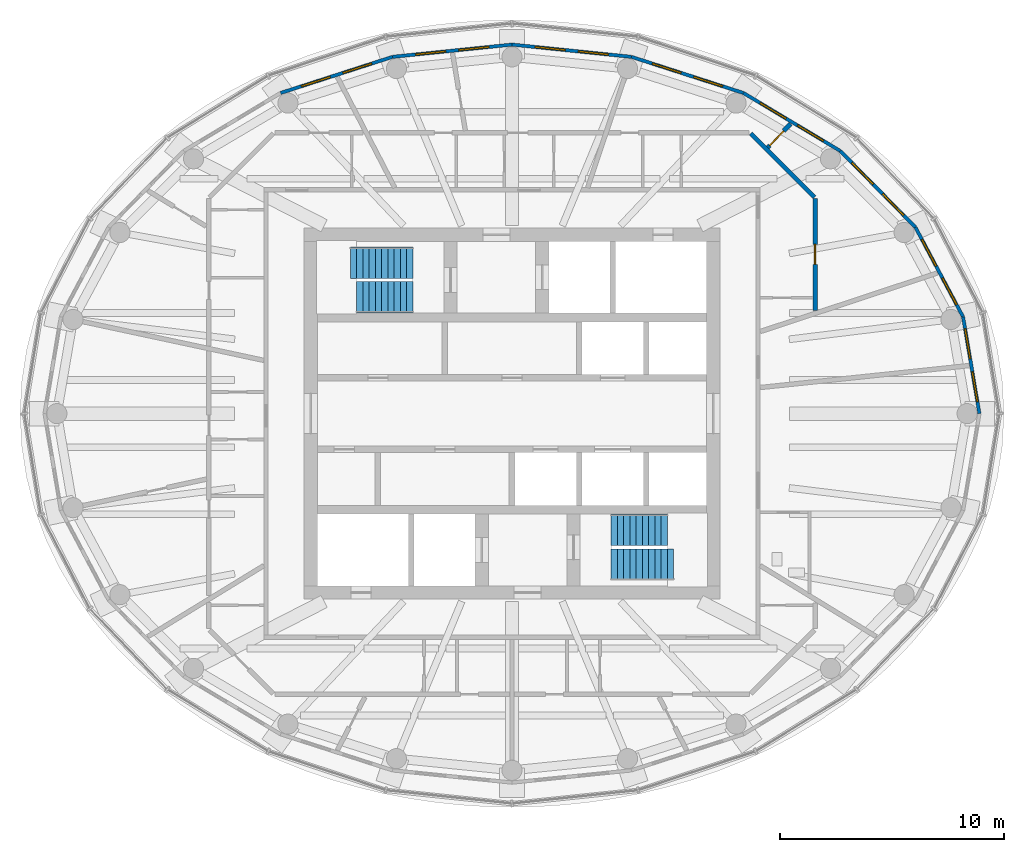
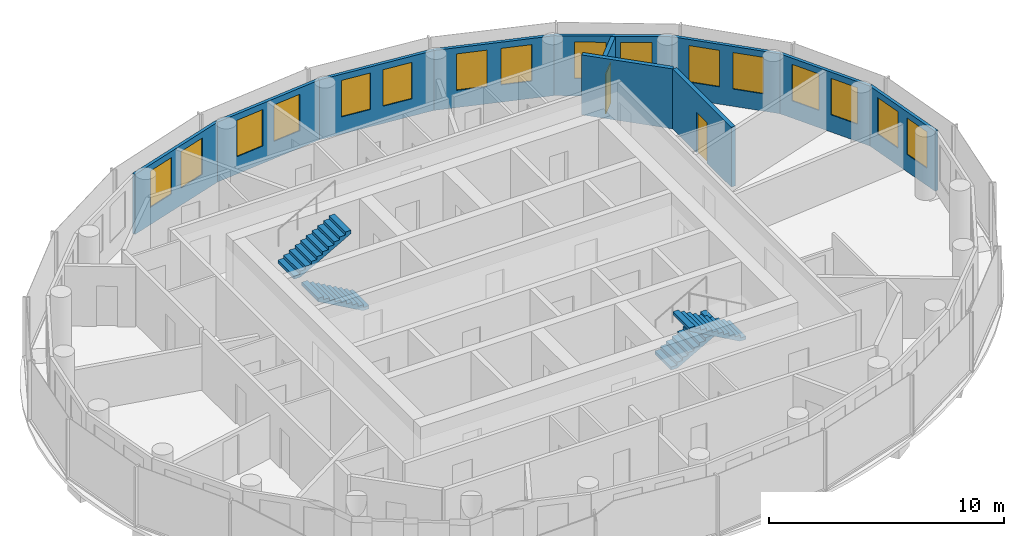
# One storey, part 9 of 11: 16 windows, 11 walls, 4 stair flights, 2 doors, 18 openings, 2 elements without a shape of their own.
"""IFC4 building model written with IfcOpenShell, lengths in metres."""

from ifc_helpers import new_model, si_unit, direction, frame, frame_2d, origin, place, context, subcontext, project, spatial, polyline, rectangle, outline, extrude, material, layer, layer_set, type_object, element, fill, aggregate, save


model = new_model("IFC4")

# Units and contexts
model_context = context("Model", 3, precision=1e-05, world=origin(), true_north=direction((0.0, 1.0)))
body_context = subcontext(model_context, "Body", "Model", "MODEL_VIEW")
ifc_project = project(units=[si_unit("LENGTHUNIT", "METRE"), si_unit("AREAUNIT", "SQUARE_METRE"), si_unit("VOLUMEUNIT", "CUBIC_METRE"), si_unit("PLANEANGLEUNIT", "RADIAN"), si_unit("MASSUNIT", "GRAM", prefix="KILO")], contexts=[model_context])

# Site, building, storey
site_placement = place(None, origin())
site = spatial("IfcSite", under=ifc_project, at=site_placement, CompositionType="ELEMENT")
building_placement = place(site_placement, origin())
building = spatial("IfcBuilding", under=site, at=building_placement, Name="Hankou Lantern Tower", CompositionType="ELEMENT")
storey_placement = place(building_placement, frame((0.0, 0.0, 192.89990234375)))
storey = spatial("IfcBuildingStorey", under=building, at=storey_placement, Name="L51", CompositionType="ELEMENT", Elevation=192.89990234375)

# Wall, openings, windows
ifc_material_1 = material(Name="Aluminium spandrel panel on steel studs", Category="steel")
ifc_layer_1 = layer(ifc_material_1, 0.14990234375)
ifc_layer_set_1 = layer_set([ifc_layer_1], Name="Aluminium spandrel panel on steel studs")
wall_type_1 = type_object("IfcWallType", Name="EW1 INNER SKIN WALL 150", PredefinedType="ELEMENTEDWALL", material=ifc_layer_set_1)
wall_1_placement = place(storey_placement, frame((20.89990234375, 0.0, 0.0), z_axis=(0.0, 0.0, 1.0), x_axis=(-0.166538513568, 0.986034950445, 0.0)))
wall_1 = element("IfcWall", 1, at=wall_1_placement, inside=storey, type_object=wall_type_1, Name="Inner skin R01-R02 L51", PredefinedType="ELEMENTEDWALL", context=body_context, shape_type="SweptSolid", body=[
    extrude(rectangle(XDim=4.384765625, YDim=0.14990234375, at=frame_2d((2.1923828125, 0.0))), origin(), (0.0, 0.0, 1.0), 3.1201171875),
])
opening_1_placement = place(wall_1_placement, frame((0.54248046875, 0.0, 0.89990234375)))
opening_1 = element("IfcOpeningElement", 2, at=opening_1_placement, cuts=wall_1, Name="Opening W4", PredefinedType="OPENING", context=body_context, shape_type="SweptSolid", body=[
    extrude(rectangle(XDim=1.35009765625, YDim=1.89990234375, at=frame_2d((0.675048828125, 0.949951171875))), frame((0.0, 0.0849609375, 0.0), z_axis=(0.0, -1.0, 0.0), x_axis=(1.0, 0.0, 0.0)), (0.0, 0.0, 1.0), 0.169921875),
])
opening_2_placement = place(wall_1_placement, frame((2.492431640625, 0.0, 0.89990234375)))
opening_2 = element("IfcOpeningElement", 3, at=opening_2_placement, cuts=wall_1, Name="Opening W4", PredefinedType="OPENING", context=body_context, shape_type="SweptSolid", body=[
    extrude(rectangle(XDim=1.35009765625, YDim=1.89990234375, at=frame_2d((0.675048828125, 0.949951171875))), frame((0.0, 0.0849609375, 0.0), z_axis=(0.0, -1.0, 0.0), x_axis=(1.0, 0.0, 0.0)), (0.0, 0.0, 1.0), 0.169921875),
])
ifc_material_2 = material(Name="Aluminium framed double glazed window", Category="aluminium")
window_type = type_object("IfcWindowType", Name="W4 SUITE WINDOW 1350X1900", PartitioningType="DOUBLE_PANEL_VERTICAL", PredefinedType="WINDOW", material=ifc_material_2)
window_1_placement = place(opening_1_placement, origin())
window_1 = element("IfcWindow", 4, at=window_1_placement, inside=storey, type_object=window_type, Name="Window R01.1 L51", OverallHeight=1.89990234375, OverallWidth=1.35009765625, PartitioningType="SINGLE_PANEL", PredefinedType="WINDOW", context=body_context, shape_type="SweptSolid", body=[
    extrude(rectangle(XDim=1.35009765625, YDim=1.89990234375, at=frame_2d((0.675048828125, 0.949951171875))), frame((0.0, 0.030029296875, 0.0), z_axis=(0.0, -1.0, 0.0), x_axis=(1.0, 0.0, 0.0)), (0.0, 0.0, 1.0), 0.06005859375),
])
fill(opening_1, window_1)
window_2_placement = place(opening_2_placement, origin())
window_2 = element("IfcWindow", 5, at=window_2_placement, inside=storey, type_object=window_type, Name="Window R01.2 L51", OverallHeight=1.89990234375, OverallWidth=1.35009765625, PartitioningType="SINGLE_PANEL", PredefinedType="WINDOW", context=body_context, shape_type="SweptSolid", body=[
    extrude(rectangle(XDim=1.35009765625, YDim=1.89990234375, at=frame_2d((0.675048828125, 0.949951171875))), frame((0.0, 0.030029296875, 0.0), z_axis=(0.0, -1.0, 0.0), x_axis=(1.0, 0.0, 0.0)), (0.0, 0.0, 1.0), 0.06005859375),
])
fill(opening_2, window_2)

wall_2_placement = place(storey_placement, frame((20.169677734375, 4.323486328125, 0.0), z_axis=(0.0, 0.0, 1.0), x_axis=(-0.469256152955, 0.883062094597, 0.0)))
wall_2 = element("IfcWall", 6, at=wall_2_placement, inside=storey, type_object=wall_type_1, Name="Inner skin R02-R03 L51", PredefinedType="ELEMENTEDWALL", context=body_context, shape_type="SweptSolid", body=[
    extrude(rectangle(XDim=4.539306640625, YDim=0.14990234375, at=frame_2d((2.26953125, 0.0))), origin(), (0.0, 0.0, 1.0), 3.1201171875),
])
opening_3_placement = place(wall_2_placement, frame((0.61962890625, 0.0, 0.89990234375)))
opening_3 = element("IfcOpeningElement", 7, at=opening_3_placement, cuts=wall_2, Name="Opening W4", PredefinedType="OPENING", context=body_context, shape_type="SweptSolid", body=[
    extrude(rectangle(XDim=1.35009765625, YDim=1.89990234375, at=frame_2d((0.675048828125, 0.949951171875))), frame((0.0, 0.0849609375, 0.0), z_axis=(0.0, -1.0, 0.0), x_axis=(1.0, 0.0, 0.0)), (0.0, 0.0, 1.0), 0.169921875),
])
opening_4_placement = place(wall_2_placement, frame((2.569580078125, 0.0, 0.89990234375)))
opening_4 = element("IfcOpeningElement", 8, at=opening_4_placement, cuts=wall_2, Name="Opening W4", PredefinedType="OPENING", context=body_context, shape_type="SweptSolid", body=[
    extrude(rectangle(XDim=1.35009765625, YDim=1.89990234375, at=frame_2d((0.675048828125, 0.949951171875))), frame((0.0, 0.0849609375, 0.0), z_axis=(0.0, -1.0, 0.0), x_axis=(1.0, 0.0, 0.0)), (0.0, 0.0, 1.0), 0.169921875),
])
window_3_placement = place(opening_3_placement, origin())
window_3 = element("IfcWindow", 9, at=window_3_placement, inside=storey, type_object=window_type, Name="Window R02.1 L51", OverallHeight=1.89990234375, OverallWidth=1.35009765625, PartitioningType="SINGLE_PANEL", PredefinedType="WINDOW", context=body_context, shape_type="SweptSolid", body=[
    extrude(rectangle(XDim=1.35009765625, YDim=1.89990234375, at=frame_2d((0.675048828125, 0.949951171875))), frame((0.0, 0.030029296875, 0.0), z_axis=(0.0, -1.0, 0.0), x_axis=(1.0, 0.0, 0.0)), (0.0, 0.0, 1.0), 0.06005859375),
])
fill(opening_3, window_3)
window_4_placement = place(opening_4_placement, origin())
window_4 = element("IfcWindow", 10, at=window_4_placement, inside=storey, type_object=window_type, Name="Window R02.2 L51", OverallHeight=1.89990234375, OverallWidth=1.35009765625, PartitioningType="SINGLE_PANEL", PredefinedType="WINDOW", context=body_context, shape_type="SweptSolid", body=[
    extrude(rectangle(XDim=1.35009765625, YDim=1.89990234375, at=frame_2d((0.675048828125, 0.949951171875))), frame((0.0, 0.030029296875, 0.0), z_axis=(0.0, -1.0, 0.0), x_axis=(1.0, 0.0, 0.0)), (0.0, 0.0, 1.0), 0.06005859375),
])
fill(opening_4, window_4)

wall_3_placement = place(storey_placement, frame((18.03955078125, 8.33203125, 0.0), z_axis=(0.0, 0.0, 1.0), x_axis=(-0.701527379618, 0.712642501993, 0.0)))
wall_3 = element("IfcWall", 11, at=wall_3_placement, inside=storey, type_object=wall_type_1, Name="Inner skin R03-R04 L51", PredefinedType="ELEMENTEDWALL", context=body_context, shape_type="SweptSolid", body=[
    extrude(rectangle(XDim=4.788330078125, YDim=0.14990234375, at=frame_2d((2.39404296875, 0.0))), origin(), (0.0, 0.0, 1.0), 3.1201171875),
])
opening_5_placement = place(wall_3_placement, frame((0.744140625, 0.0, 0.89990234375)))
opening_5 = element("IfcOpeningElement", 12, at=opening_5_placement, cuts=wall_3, Name="Opening W4", PredefinedType="OPENING", context=body_context, shape_type="SweptSolid", body=[
    extrude(rectangle(XDim=1.35009765625, YDim=1.89990234375, at=frame_2d((0.675048828125, 0.949951171875))), frame((0.0, 0.0849609375, 0.0), z_axis=(0.0, -1.0, 0.0), x_axis=(1.0, 0.0, 0.0)), (0.0, 0.0, 1.0), 0.169921875),
])
opening_6_placement = place(wall_3_placement, frame((2.694091796875, 0.0, 0.89990234375)))
opening_6 = element("IfcOpeningElement", 13, at=opening_6_placement, cuts=wall_3, Name="Opening W4", PredefinedType="OPENING", context=body_context, shape_type="SweptSolid", body=[
    extrude(rectangle(XDim=1.35009765625, YDim=1.89990234375, at=frame_2d((0.675048828125, 0.949951171875))), frame((0.0, 0.0849609375, 0.0), z_axis=(0.0, -1.0, 0.0), x_axis=(1.0, 0.0, 0.0)), (0.0, 0.0, 1.0), 0.169921875),
])
window_5_placement = place(opening_5_placement, origin())
window_5 = element("IfcWindow", 14, at=window_5_placement, inside=storey, type_object=window_type, Name="Window R03.1 L51", OverallHeight=1.89990234375, OverallWidth=1.35009765625, PartitioningType="SINGLE_PANEL", PredefinedType="WINDOW", context=body_context, shape_type="SweptSolid", body=[
    extrude(rectangle(XDim=1.35009765625, YDim=1.89990234375, at=frame_2d((0.675048828125, 0.949951171875))), frame((0.0, 0.030029296875, 0.0), z_axis=(0.0, -1.0, 0.0), x_axis=(1.0, 0.0, 0.0)), (0.0, 0.0, 1.0), 0.06005859375),
])
fill(opening_5, window_5)
window_6_placement = place(opening_6_placement, origin())
window_6 = element("IfcWindow", 15, at=window_6_placement, inside=storey, type_object=window_type, Name="Window R03.2 L51", OverallHeight=1.89990234375, OverallWidth=1.35009765625, PartitioningType="SINGLE_PANEL", PredefinedType="WINDOW", context=body_context, shape_type="SweptSolid", body=[
    extrude(rectangle(XDim=1.35009765625, YDim=1.89990234375, at=frame_2d((0.675048828125, 0.949951171875))), frame((0.0, 0.030029296875, 0.0), z_axis=(0.0, -1.0, 0.0), x_axis=(1.0, 0.0, 0.0)), (0.0, 0.0, 1.0), 0.06005859375),
])
fill(opening_6, window_6)

wall_4_placement = place(storey_placement, frame((14.680419921875, 11.744384765625, 0.0), z_axis=(0.0, 0.0, 1.0), x_axis=(-0.85822150553, 0.513279502265, 0.0)))
wall_4 = element("IfcWall", 16, at=wall_4_placement, inside=storey, type_object=wall_type_1, Name="Inner skin R04-R05 L51", PredefinedType="ELEMENTEDWALL", context=body_context, shape_type="SweptSolid", body=[
    extrude(rectangle(XDim=5.050048828125, YDim=0.14990234375, at=frame_2d((2.52490234375, 0.0))), origin(), (0.0, 0.0, 1.0), 3.1201171875),
])
opening_7_placement = place(wall_4_placement, frame((0.875, 0.0, 0.89990234375)))
opening_7 = element("IfcOpeningElement", 17, at=opening_7_placement, cuts=wall_4, Name="Opening W4", PredefinedType="OPENING", context=body_context, shape_type="SweptSolid", body=[
    extrude(rectangle(XDim=1.35009765625, YDim=1.89990234375, at=frame_2d((0.675048828125, 0.949951171875))), frame((0.0, 0.0849609375, 0.0), z_axis=(0.0, -1.0, 0.0), x_axis=(1.0, 0.0, 0.0)), (0.0, 0.0, 1.0), 0.169921875),
])
opening_8_placement = place(wall_4_placement, frame((2.824951171875, 0.0, 0.89990234375)))
opening_8 = element("IfcOpeningElement", 18, at=opening_8_placement, cuts=wall_4, Name="Opening W4", PredefinedType="OPENING", context=body_context, shape_type="SweptSolid", body=[
    extrude(rectangle(XDim=1.35009765625, YDim=1.89990234375, at=frame_2d((0.675048828125, 0.949951171875))), frame((0.0, 0.0849609375, 0.0), z_axis=(0.0, -1.0, 0.0), x_axis=(1.0, 0.0, 0.0)), (0.0, 0.0, 1.0), 0.169921875),
])
window_7_placement = place(opening_7_placement, origin())
window_7 = element("IfcWindow", 19, at=window_7_placement, inside=storey, type_object=window_type, Name="Window R04.1 L51", OverallHeight=1.89990234375, OverallWidth=1.35009765625, PartitioningType="SINGLE_PANEL", PredefinedType="WINDOW", context=body_context, shape_type="SweptSolid", body=[
    extrude(rectangle(XDim=1.35009765625, YDim=1.89990234375, at=frame_2d((0.675048828125, 0.949951171875))), frame((0.0, 0.030029296875, 0.0), z_axis=(0.0, -1.0, 0.0), x_axis=(1.0, 0.0, 0.0)), (0.0, 0.0, 1.0), 0.06005859375),
])
fill(opening_7, window_7)
window_8_placement = place(opening_8_placement, origin())
window_8 = element("IfcWindow", 20, at=window_8_placement, inside=storey, type_object=window_type, Name="Window R04.2 L51", OverallHeight=1.89990234375, OverallWidth=1.35009765625, PartitioningType="SINGLE_PANEL", PredefinedType="WINDOW", context=body_context, shape_type="SweptSolid", body=[
    extrude(rectangle(XDim=1.35009765625, YDim=1.89990234375, at=frame_2d((0.675048828125, 0.949951171875))), frame((0.0, 0.030029296875, 0.0), z_axis=(0.0, -1.0, 0.0), x_axis=(1.0, 0.0, 0.0)), (0.0, 0.0, 1.0), 0.06005859375),
])
fill(opening_8, window_8)

wall_5_placement = place(storey_placement, frame((10.346435546875, 14.33642578125, 0.0), z_axis=(0.0, 0.0, 1.0), x_axis=(-0.951644702515, 0.307200846638, 0.0)))
wall_5 = element("IfcWall", 21, at=wall_5_placement, inside=storey, type_object=wall_type_1, Name="Inner skin R05-R06 L51", PredefinedType="ELEMENTEDWALL", context=body_context, shape_type="SweptSolid", body=[
    extrude(rectangle(XDim=5.2578125, YDim=0.14990234375, at=frame_2d((2.62890625, 0.0))), origin(), (0.0, 0.0, 1.0), 3.1201171875),
])
opening_9_placement = place(wall_5_placement, frame((0.97900390625, 0.0, 0.89990234375)))
opening_9 = element("IfcOpeningElement", 22, at=opening_9_placement, cuts=wall_5, Name="Opening W4", PredefinedType="OPENING", context=body_context, shape_type="SweptSolid", body=[
    extrude(rectangle(XDim=1.35009765625, YDim=1.89990234375, at=frame_2d((0.675048828125, 0.949951171875))), frame((0.0, 0.0849609375, 0.0), z_axis=(0.0, -1.0, 0.0), x_axis=(1.0, 0.0, 0.0)), (0.0, 0.0, 1.0), 0.169921875),
])
opening_10_placement = place(wall_5_placement, frame((2.928955078125, 0.0, 0.89990234375)))
opening_10 = element("IfcOpeningElement", 23, at=opening_10_placement, cuts=wall_5, Name="Opening W4", PredefinedType="OPENING", context=body_context, shape_type="SweptSolid", body=[
    extrude(rectangle(XDim=1.35009765625, YDim=1.89990234375, at=frame_2d((0.675048828125, 0.949951171875))), frame((0.0, 0.0849609375, 0.0), z_axis=(0.0, -1.0, 0.0), x_axis=(1.0, 0.0, 0.0)), (0.0, 0.0, 1.0), 0.169921875),
])
window_9_placement = place(opening_9_placement, origin())
window_9 = element("IfcWindow", 24, at=window_9_placement, inside=storey, type_object=window_type, Name="Window R05.1 L51", OverallHeight=1.89990234375, OverallWidth=1.35009765625, PartitioningType="SINGLE_PANEL", PredefinedType="WINDOW", context=body_context, shape_type="SweptSolid", body=[
    extrude(rectangle(XDim=1.35009765625, YDim=1.89990234375, at=frame_2d((0.675048828125, 0.949951171875))), frame((0.0, 0.030029296875, 0.0), z_axis=(0.0, -1.0, 0.0), x_axis=(1.0, 0.0, 0.0)), (0.0, 0.0, 1.0), 0.06005859375),
])
fill(opening_9, window_9)
window_10_placement = place(opening_10_placement, origin())
window_10 = element("IfcWindow", 25, at=window_10_placement, inside=storey, type_object=window_type, Name="Window R05.2 L51", OverallHeight=1.89990234375, OverallWidth=1.35009765625, PartitioningType="SINGLE_PANEL", PredefinedType="WINDOW", context=body_context, shape_type="SweptSolid", body=[
    extrude(rectangle(XDim=1.35009765625, YDim=1.89990234375, at=frame_2d((0.675048828125, 0.949951171875))), frame((0.0, 0.030029296875, 0.0), z_axis=(0.0, -1.0, 0.0), x_axis=(1.0, 0.0, 0.0)), (0.0, 0.0, 1.0), 0.06005859375),
])
fill(opening_10, window_10)

wall_6_placement = place(storey_placement, frame((5.3427734375, 15.95166015625, 0.0), z_axis=(0.0, 0.0, 1.0), x_axis=(-0.994774574972, 0.102095763818, 0.0)))
wall_6 = element("IfcWall", 26, at=wall_6_placement, inside=storey, type_object=wall_type_1, Name="Inner skin R06-R07 L51", PredefinedType="ELEMENTEDWALL", context=body_context, shape_type="SweptSolid", body=[
    extrude(rectangle(XDim=5.370849609375, YDim=0.14990234375, at=frame_2d((2.685546875, 0.0))), origin(), (0.0, 0.0, 1.0), 3.1201171875),
])
opening_11_placement = place(wall_6_placement, frame((1.035400390625, 0.0, 0.89990234375)))
opening_11 = element("IfcOpeningElement", 27, at=opening_11_placement, cuts=wall_6, Name="Opening W4", PredefinedType="OPENING", context=body_context, shape_type="SweptSolid", body=[
    extrude(rectangle(XDim=1.35009765625, YDim=1.89990234375, at=frame_2d((0.675048828125, 0.949951171875))), frame((0.0, 0.0849609375, 0.0), z_axis=(0.0, -1.0, 0.0), x_axis=(1.0, 0.0, 0.0)), (0.0, 0.0, 1.0), 0.169921875),
])
opening_12_placement = place(wall_6_placement, frame((2.9853515625, 0.0, 0.89990234375)))
opening_12 = element("IfcOpeningElement", 28, at=opening_12_placement, cuts=wall_6, Name="Opening W4", PredefinedType="OPENING", context=body_context, shape_type="SweptSolid", body=[
    extrude(rectangle(XDim=1.35009765625, YDim=1.89990234375, at=frame_2d((0.675048828125, 0.949951171875))), frame((0.0, 0.0849609375, 0.0), z_axis=(0.0, -1.0, 0.0), x_axis=(1.0, 0.0, 0.0)), (0.0, 0.0, 1.0), 0.169921875),
])
window_11_placement = place(opening_11_placement, origin())
window_11 = element("IfcWindow", 29, at=window_11_placement, inside=storey, type_object=window_type, Name="Window R06.1 L51", OverallHeight=1.89990234375, OverallWidth=1.35009765625, PartitioningType="SINGLE_PANEL", PredefinedType="WINDOW", context=body_context, shape_type="SweptSolid", body=[
    extrude(rectangle(XDim=1.35009765625, YDim=1.89990234375, at=frame_2d((0.675048828125, 0.949951171875))), frame((0.0, 0.030029296875, 0.0), z_axis=(0.0, -1.0, 0.0), x_axis=(1.0, 0.0, 0.0)), (0.0, 0.0, 1.0), 0.06005859375),
])
fill(opening_11, window_11)
window_12_placement = place(opening_12_placement, origin())
window_12 = element("IfcWindow", 30, at=window_12_placement, inside=storey, type_object=window_type, Name="Window R06.2 L51", OverallHeight=1.89990234375, OverallWidth=1.35009765625, PartitioningType="SINGLE_PANEL", PredefinedType="WINDOW", context=body_context, shape_type="SweptSolid", body=[
    extrude(rectangle(XDim=1.35009765625, YDim=1.89990234375, at=frame_2d((0.675048828125, 0.949951171875))), frame((0.0, 0.030029296875, 0.0), z_axis=(0.0, -1.0, 0.0), x_axis=(1.0, 0.0, 0.0)), (0.0, 0.0, 1.0), 0.06005859375),
])
fill(opening_12, window_12)

wall_7_placement = place(storey_placement, frame((0.0, 16.5, 0.0), z_axis=(0.0, 0.0, 1.0), x_axis=(-0.994774574972, -0.102095763818, 0.0)))
wall_7 = element("IfcWall", 31, at=wall_7_placement, inside=storey, type_object=wall_type_1, Name="Inner skin R07-R08 L51", PredefinedType="ELEMENTEDWALL", context=body_context, shape_type="SweptSolid", body=[
    extrude(rectangle(XDim=5.370849609375, YDim=0.14990234375, at=frame_2d((2.685546875, 0.0))), origin(), (0.0, 0.0, 1.0), 3.1201171875),
])
opening_13_placement = place(wall_7_placement, frame((1.035400390625, 0.0, 0.89990234375)))
opening_13 = element("IfcOpeningElement", 32, at=opening_13_placement, cuts=wall_7, Name="Opening W4", PredefinedType="OPENING", context=body_context, shape_type="SweptSolid", body=[
    extrude(rectangle(XDim=1.35009765625, YDim=1.89990234375, at=frame_2d((0.675048828125, 0.949951171875))), frame((0.0, 0.0849609375, 0.0), z_axis=(0.0, -1.0, 0.0), x_axis=(1.0, 0.0, 0.0)), (0.0, 0.0, 1.0), 0.169921875),
])
opening_14_placement = place(wall_7_placement, frame((2.9853515625, 0.0, 0.89990234375)))
opening_14 = element("IfcOpeningElement", 33, at=opening_14_placement, cuts=wall_7, Name="Opening W4", PredefinedType="OPENING", context=body_context, shape_type="SweptSolid", body=[
    extrude(rectangle(XDim=1.35009765625, YDim=1.89990234375, at=frame_2d((0.675048828125, 0.949951171875))), frame((0.0, 0.0849609375, 0.0), z_axis=(0.0, -1.0, 0.0), x_axis=(1.0, 0.0, 0.0)), (0.0, 0.0, 1.0), 0.169921875),
])
window_13_placement = place(opening_13_placement, origin())
window_13 = element("IfcWindow", 34, at=window_13_placement, inside=storey, type_object=window_type, Name="Window R07.1 L51", OverallHeight=1.89990234375, OverallWidth=1.35009765625, PartitioningType="SINGLE_PANEL", PredefinedType="WINDOW", context=body_context, shape_type="SweptSolid", body=[
    extrude(rectangle(XDim=1.35009765625, YDim=1.89990234375, at=frame_2d((0.675048828125, 0.949951171875))), frame((0.0, 0.030029296875, 0.0), z_axis=(0.0, -1.0, 0.0), x_axis=(1.0, 0.0, 0.0)), (0.0, 0.0, 1.0), 0.06005859375),
])
fill(opening_13, window_13)
window_14_placement = place(opening_14_placement, origin())
window_14 = element("IfcWindow", 35, at=window_14_placement, inside=storey, type_object=window_type, Name="Window R07.2 L51", OverallHeight=1.89990234375, OverallWidth=1.35009765625, PartitioningType="SINGLE_PANEL", PredefinedType="WINDOW", context=body_context, shape_type="SweptSolid", body=[
    extrude(rectangle(XDim=1.35009765625, YDim=1.89990234375, at=frame_2d((0.675048828125, 0.949951171875))), frame((0.0, 0.030029296875, 0.0), z_axis=(0.0, -1.0, 0.0), x_axis=(1.0, 0.0, 0.0)), (0.0, 0.0, 1.0), 0.06005859375),
])
fill(opening_14, window_14)

wall_8_placement = place(storey_placement, frame((-5.3427734375, 15.95166015625, 0.0), z_axis=(0.0, 0.0, 1.0), x_axis=(-0.951644702515, -0.307200846638, 0.0)))
wall_8 = element("IfcWall", 36, at=wall_8_placement, inside=storey, type_object=wall_type_1, Name="Inner skin R08-R09 L51", PredefinedType="ELEMENTEDWALL", context=body_context, shape_type="SweptSolid", body=[
    extrude(rectangle(XDim=5.2578125, YDim=0.14990234375, at=frame_2d((2.62890625, 0.0))), origin(), (0.0, 0.0, 1.0), 3.1201171875),
])
opening_15_placement = place(wall_8_placement, frame((0.97900390625, 0.0, 0.89990234375)))
opening_15 = element("IfcOpeningElement", 37, at=opening_15_placement, cuts=wall_8, Name="Opening W4", PredefinedType="OPENING", context=body_context, shape_type="SweptSolid", body=[
    extrude(rectangle(XDim=1.35009765625, YDim=1.89990234375, at=frame_2d((0.675048828125, 0.949951171875))), frame((0.0, 0.0849609375, 0.0), z_axis=(0.0, -1.0, 0.0), x_axis=(1.0, 0.0, 0.0)), (0.0, 0.0, 1.0), 0.169921875),
])
opening_16_placement = place(wall_8_placement, frame((2.928955078125, 0.0, 0.89990234375)))
opening_16 = element("IfcOpeningElement", 38, at=opening_16_placement, cuts=wall_8, Name="Opening W4", PredefinedType="OPENING", context=body_context, shape_type="SweptSolid", body=[
    extrude(rectangle(XDim=1.35009765625, YDim=1.89990234375, at=frame_2d((0.675048828125, 0.949951171875))), frame((0.0, 0.0849609375, 0.0), z_axis=(0.0, -1.0, 0.0), x_axis=(1.0, 0.0, 0.0)), (0.0, 0.0, 1.0), 0.169921875),
])
window_15_placement = place(opening_15_placement, origin())
window_15 = element("IfcWindow", 39, at=window_15_placement, inside=storey, type_object=window_type, Name="Window R08.1 L51", OverallHeight=1.89990234375, OverallWidth=1.35009765625, PartitioningType="SINGLE_PANEL", PredefinedType="WINDOW", context=body_context, shape_type="SweptSolid", body=[
    extrude(rectangle(XDim=1.35009765625, YDim=1.89990234375, at=frame_2d((0.675048828125, 0.949951171875))), frame((0.0, 0.030029296875, 0.0), z_axis=(0.0, -1.0, 0.0), x_axis=(1.0, 0.0, 0.0)), (0.0, 0.0, 1.0), 0.06005859375),
])
fill(opening_15, window_15)
window_16_placement = place(opening_16_placement, origin())
window_16 = element("IfcWindow", 40, at=window_16_placement, inside=storey, type_object=window_type, Name="Window R08.2 L51", OverallHeight=1.89990234375, OverallWidth=1.35009765625, PartitioningType="SINGLE_PANEL", PredefinedType="WINDOW", context=body_context, shape_type="SweptSolid", body=[
    extrude(rectangle(XDim=1.35009765625, YDim=1.89990234375, at=frame_2d((0.675048828125, 0.949951171875))), frame((0.0, 0.030029296875, 0.0), z_axis=(0.0, -1.0, 0.0), x_axis=(1.0, 0.0, 0.0)), (0.0, 0.0, 1.0), 0.06005859375),
])
fill(opening_16, window_16)

# Wall, opening, door
ifc_material_3 = material(Name="Masonry lightweight concrete block", Category="masonry")
ifc_layer_2 = layer(ifc_material_3, 0.199951171875)
ifc_layer_set_2 = layer_set([ifc_layer_2], Name="Masonry lightweight concrete block")
wall_type_2 = type_object("IfcWallType", Name="IW6 SUITE PARTITION 200", PredefinedType="PARTITIONING", material=ifc_layer_set_2)
wall_9_placement = place(storey_placement, frame((13.550048828125, 4.599853515625, 0.0), z_axis=(0.0, 0.0, 1.0), x_axis=(0.0, 1.0, 0.0)))
wall_9 = element("IfcWall", 41, at=wall_9_placement, inside=storey, type_object=wall_type_2, Name="Suite foyer wall 5102", PredefinedType="PARTITIONING", context=body_context, shape_type="SweptSolid", body=[
    extrude(rectangle(XDim=5.0087890625, YDim=0.199951171875, at=frame_2d((2.50439453125, 0.0))), origin(), (0.0, 0.0, 1.0), 3.1201171875),
])
opening_17_placement = place(wall_9_placement, frame((2.070068359375, 0.0, 0.0)))
opening_17 = element("IfcOpeningElement", 42, at=opening_17_placement, cuts=wall_9, Name="Opening D27", PredefinedType="OPENING", context=body_context, shape_type="SweptSolid", body=[
    extrude(rectangle(XDim=0.89990234375, YDim=2.10009765625, at=frame_2d((0.449951171875, 1.050048828125))), frame((0.0, 0.10986328125, 0.0), z_axis=(0.0, -1.0, 0.0), x_axis=(1.0, 0.0, 0.0)), (0.0, 0.0, 1.0), 0.219970703125),
])
ifc_material_4 = material(Name="Timber door leaf", Category="wood")
door_type = type_object("IfcDoorType", Name="D27 INTERNAL DOOR 900X2100", OperationType="SINGLE_SWING_LEFT", PredefinedType="DOOR", material=ifc_material_4)
door_1_placement = place(opening_17_placement, origin())
door_1 = element("IfcDoor", 43, at=door_1_placement, inside=storey, type_object=door_type, Name="Suite 5102 living room door", OperationType="SINGLE_SWING_LEFT", OverallHeight=2.10009765625, OverallWidth=0.89990234375, PredefinedType="DOOR", context=body_context, shape_type="SweptSolid", body=[
    extrude(rectangle(XDim=0.89990234375, YDim=2.10009765625, at=frame_2d((0.449951171875, 1.050048828125))), frame((0.0, 0.02490234375, 0.0), z_axis=(0.0, -1.0, 0.0), x_axis=(1.0, 0.0, 0.0)), (0.0, 0.0, 1.0), 0.050048828125),
])
fill(opening_17, door_1)

# Wall
wall_10_placement = place(storey_placement, frame((13.520751953125, 9.67919921875, 0.0), z_axis=(0.0, 0.0, 1.0), x_axis=(-0.707106781187, 0.707106781187, 0.0)))
element("IfcWall", 44, at=wall_10_placement, inside=storey, type_object=wall_type_2, Name="Suite foyer wall 5102", PredefinedType="PARTITIONING", context=body_context, shape_type="SweptSolid", body=[
    extrude(rectangle(XDim=4.0185546875, YDim=0.199951171875, at=frame_2d((2.00927734375, 0.0))), origin(), (0.0, 0.0, 1.0), 3.1201171875),
])

# Wall, opening, door
wall_11_placement = place(storey_placement, frame((11.44091796875, 11.900390625, 0.0), z_axis=(0.0, 0.0, 1.0), x_axis=(0.692958717259, 0.720977264672, 0.0)))
wall_11 = element("IfcWall", 45, at=wall_11_placement, inside=storey, type_object=wall_type_2, Name="Suite partition R04-R05", PredefinedType="PARTITIONING", context=body_context, shape_type="SweptSolid", body=[
    extrude(rectangle(XDim=1.4638671875, YDim=0.199951171875, at=frame_2d((0.73193359375, 0.0))), origin(), (0.0, 0.0, 1.0), 3.1201171875),
])
opening_18_placement = place(wall_11_placement, frame((0.1201171875, 0.0, 0.0)))
opening_18 = element("IfcOpeningElement", 46, at=opening_18_placement, cuts=wall_11, Name="Opening D27", PredefinedType="OPENING", context=body_context, shape_type="SweptSolid", body=[
    extrude(rectangle(XDim=0.89990234375, YDim=2.10009765625, at=frame_2d((0.449951171875, 1.050048828125))), frame((0.0, 0.10986328125, 0.0), z_axis=(0.0, -1.0, 0.0), x_axis=(1.0, 0.0, 0.0)), (0.0, 0.0, 1.0), 0.219970703125),
])
door_2_placement = place(opening_18_placement, origin())
door_2 = element("IfcDoor", 47, at=door_2_placement, inside=storey, type_object=door_type, Name="Suite 5102 bedroom door", OperationType="SINGLE_SWING_LEFT", OverallHeight=2.10009765625, OverallWidth=0.89990234375, PredefinedType="DOOR", context=body_context, shape_type="SweptSolid", body=[
    extrude(rectangle(XDim=0.89990234375, YDim=2.10009765625, at=frame_2d((0.449951171875, 1.050048828125))), frame((0.0, 0.02490234375, 0.0), z_axis=(0.0, -1.0, 0.0), x_axis=(1.0, 0.0, 0.0)), (0.0, 0.0, 1.0), 0.050048828125),
])
fill(opening_18, door_2)

# Stair, stair flight
ifc_material_5 = material(Name="Concrete C40", Category="concrete")
stair_type = type_object("IfcStairType", Name="ST33 CORE STAIR 3300 RISE", PredefinedType="HALF_TURN_STAIR", material=ifc_material_5)
stair_1_placement = place(storey_placement, origin())
stair_1 = element("IfcStair", 48, at=stair_1_placement, inside=storey, type_object=stair_type, Name="Stair STA L51", PredefinedType="HALF_TURN_STAIR")
ifc_material_6 = material(Name="Concrete C40", Category="concrete")
stair_flight_type_1 = type_object("IfcStairFlightType", Name="CF10 CORE STAIR FLIGHT 1400 X 10 RISERS", PredefinedType="STRAIGHT", material=ifc_material_6)
stair_flight_1_placement = place(storey_placement, frame((-4.429931640625, 5.199951171875, 0.0), z_axis=(0.0, 0.0, 1.0), x_axis=(-1.0, 0.0, 0.0)))
stair_flight_1 = element("IfcStairFlight", 49, at=stair_flight_1_placement, type_object=stair_flight_type_1, Name="STA flight 1", NumberOfRisers=10, NumberOfTreads=9, PredefinedType="STRAIGHT", RiserHeight=0.157142857, TreadLength=0.28, context=body_context, shape_type="SweptSolid", body=[
    extrude(outline(polyline([(0.0, 0.0), (0.0, 0.1572265625), (0.280029296875, 0.1572265625), (0.280029296875, 0.314208984375), (0.56005859375, 0.314208984375), (0.56005859375, 0.471435546875), (0.840087890625, 0.471435546875), (0.840087890625, 0.628662109375), (1.1201171875, 0.628662109375), (1.1201171875, 0.78564453125), (1.39990234375, 0.78564453125), (1.39990234375, 0.94287109375), (1.679931640625, 0.94287109375), (1.679931640625, 1.10009765625), (1.9599609375, 1.10009765625), (1.9599609375, 1.257080078125), (2.239990234375, 1.257080078125), (2.239990234375, 1.414306640625), (2.52001953125, 1.414306640625), (2.52001953125, 1.571533203125), (2.52001953125, 1.242431640625), (0.306396484375, 0.0), (0.0, 0.0)])), frame((0.0, 0.699951171875, 0.0), z_axis=(0.0, -1.0, 0.0), x_axis=(1.0, 0.0, 0.0)), (0.0, 0.0, 1.0), 1.39990234375),
])

stair_2_placement = place(storey_placement, origin())
stair_2 = element("IfcStair", 50, at=stair_2_placement, inside=storey, type_object=stair_type, Name="Stair STB L51", PredefinedType="HALF_TURN_STAIR")
stair_flight_2_placement = place(storey_placement, frame((4.429931640625, -5.199951171875, 0.0), z_axis=(0.0, 0.0, 1.0), x_axis=(1.0, 0.0, 0.0)))
stair_flight_2 = element("IfcStairFlight", 51, at=stair_flight_2_placement, type_object=stair_flight_type_1, Name="STB flight 1", NumberOfRisers=10, NumberOfTreads=9, PredefinedType="STRAIGHT", RiserHeight=0.157142857, TreadLength=0.28, context=body_context, shape_type="SweptSolid", body=[
    extrude(outline(polyline([(0.0, 0.0), (0.0, 0.1572265625), (0.280029296875, 0.1572265625), (0.280029296875, 0.314208984375), (0.56005859375, 0.314208984375), (0.56005859375, 0.471435546875), (0.840087890625, 0.471435546875), (0.840087890625, 0.628662109375), (1.1201171875, 0.628662109375), (1.1201171875, 0.78564453125), (1.39990234375, 0.78564453125), (1.39990234375, 0.94287109375), (1.679931640625, 0.94287109375), (1.679931640625, 1.10009765625), (1.9599609375, 1.10009765625), (1.9599609375, 1.257080078125), (2.239990234375, 1.257080078125), (2.239990234375, 1.414306640625), (2.52001953125, 1.414306640625), (2.52001953125, 1.571533203125), (2.52001953125, 1.242431640625), (0.306396484375, 0.0), (0.0, 0.0)])), frame((0.0, 0.699951171875, 0.0), z_axis=(0.0, -1.0, 0.0), x_axis=(1.0, 0.0, 0.0)), (0.0, 0.0, 1.0), 1.39990234375),
])

# Stair flight
ifc_material_7 = material(Name="Concrete C40", Category="concrete")
stair_flight_type_2 = type_object("IfcStairFlightType", Name="CF11 CORE STAIR FLIGHT 1400 X 11 RISERS", PredefinedType="STRAIGHT", material=ifc_material_7)
stair_flight_3_placement = place(storey_placement, frame((-7.22998046875, 6.75, 1.571533203125), z_axis=(0.0, 0.0, 1.0), x_axis=(1.0, 0.0, 0.0)))
stair_flight_3 = element("IfcStairFlight", 52, at=stair_flight_3_placement, type_object=stair_flight_type_2, Name="STA flight 2", NumberOfRisers=11, NumberOfTreads=10, PredefinedType="STRAIGHT", RiserHeight=0.157142857, TreadLength=0.28, context=body_context, shape_type="SweptSolid", body=[
    extrude(outline(polyline([(0.0, 0.0), (0.0, 0.1572265625), (0.280029296875, 0.1572265625), (0.280029296875, 0.314208984375), (0.56005859375, 0.314208984375), (0.56005859375, 0.471435546875), (0.840087890625, 0.471435546875), (0.840087890625, 0.628662109375), (1.1201171875, 0.628662109375), (1.1201171875, 0.78564453125), (1.39990234375, 0.78564453125), (1.39990234375, 0.94287109375), (1.679931640625, 0.94287109375), (1.679931640625, 1.10009765625), (1.9599609375, 1.10009765625), (1.9599609375, 1.257080078125), (2.239990234375, 1.257080078125), (2.239990234375, 1.414306640625), (2.52001953125, 1.414306640625), (2.52001953125, 1.571533203125), (2.800048828125, 1.571533203125), (2.800048828125, 1.728515625), (2.800048828125, 1.3994140625), (0.306396484375, 0.0), (0.0, 0.0)])), frame((0.0, 0.699951171875, 0.0), z_axis=(0.0, -1.0, 0.0), x_axis=(1.0, 0.0, 0.0)), (0.0, 0.0, 1.0), 1.39990234375),
])

aggregate(stair_1, [stair_flight_1, stair_flight_3])

stair_flight_4_placement = place(storey_placement, frame((7.22998046875, -6.75, 1.571533203125), z_axis=(0.0, 0.0, 1.0), x_axis=(-1.0, 0.0, 0.0)))
stair_flight_4 = element("IfcStairFlight", 53, at=stair_flight_4_placement, type_object=stair_flight_type_2, Name="STB flight 2", NumberOfRisers=11, NumberOfTreads=10, PredefinedType="STRAIGHT", RiserHeight=0.157142857, TreadLength=0.28, context=body_context, shape_type="SweptSolid", body=[
    extrude(outline(polyline([(0.0, 0.0), (0.0, 0.1572265625), (0.280029296875, 0.1572265625), (0.280029296875, 0.314208984375), (0.56005859375, 0.314208984375), (0.56005859375, 0.471435546875), (0.840087890625, 0.471435546875), (0.840087890625, 0.628662109375), (1.1201171875, 0.628662109375), (1.1201171875, 0.78564453125), (1.39990234375, 0.78564453125), (1.39990234375, 0.94287109375), (1.679931640625, 0.94287109375), (1.679931640625, 1.10009765625), (1.9599609375, 1.10009765625), (1.9599609375, 1.257080078125), (2.239990234375, 1.257080078125), (2.239990234375, 1.414306640625), (2.52001953125, 1.414306640625), (2.52001953125, 1.571533203125), (2.800048828125, 1.571533203125), (2.800048828125, 1.728515625), (2.800048828125, 1.3994140625), (0.306396484375, 0.0), (0.0, 0.0)])), frame((0.0, 0.699951171875, 0.0), z_axis=(0.0, -1.0, 0.0), x_axis=(1.0, 0.0, 0.0)), (0.0, 0.0, 1.0), 1.39990234375),
])

aggregate(stair_2, [stair_flight_2, stair_flight_4])

save(model, "model.ifc")
